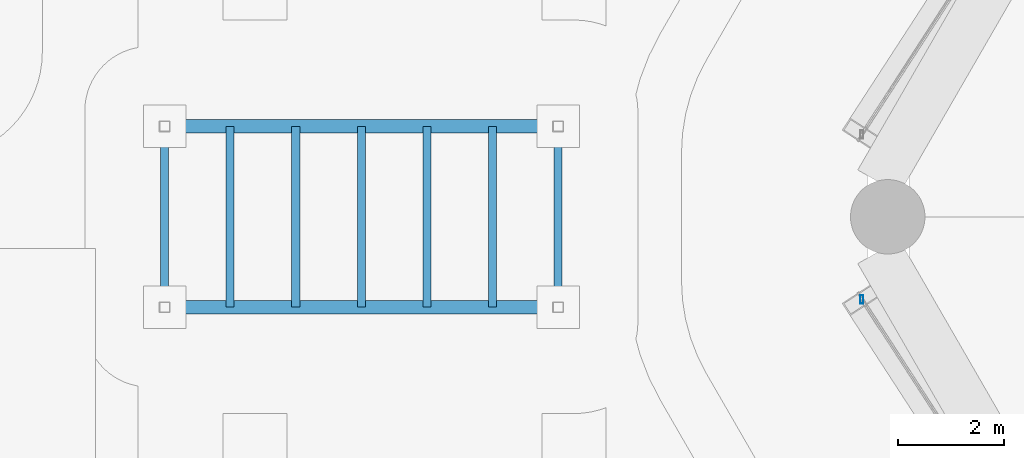
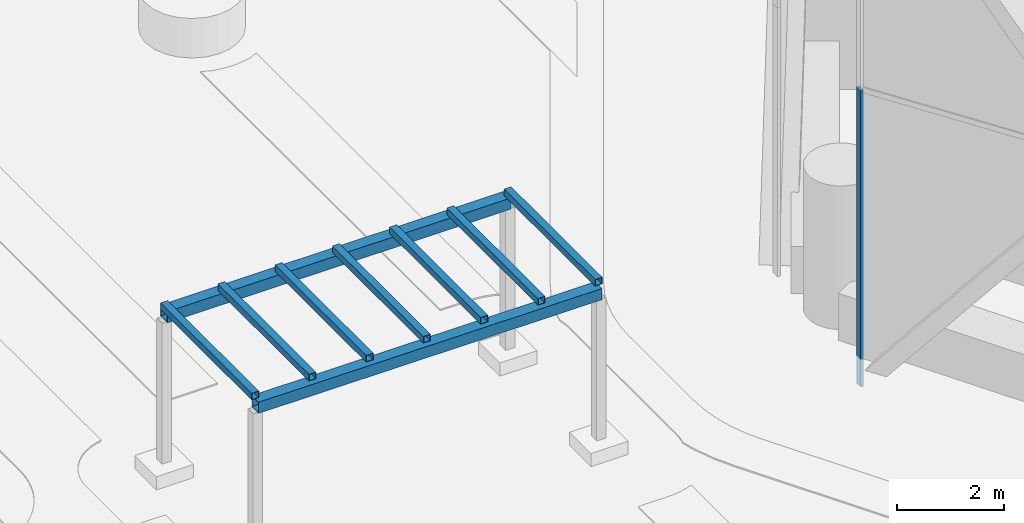
# One storey, part 20 of 71: 8 members, 2 beams, 1 element without a shape of its own.
"""IFC4 building model written with IfcOpenShell, lengths in metres."""

from ifc_helpers import new_model, si_unit, direction, frame, origin, origin_2d, place, context, subcontext, project, spatial, hollow_rectangle, extrude, material, material_profile, profile_set, type_object, element, aggregate, save


model = new_model("IFC4")

# Units and contexts
model_context = context("Model", 3, precision=1e-05, world=origin(), true_north=direction((0.0, 1.0)))
body_context = subcontext(model_context, "Body", "Model", "MODEL_VIEW")
ifc_project = project(units=[si_unit("LENGTHUNIT", "METRE"), si_unit("AREAUNIT", "SQUARE_METRE"), si_unit("VOLUMEUNIT", "CUBIC_METRE"), si_unit("PLANEANGLEUNIT", "RADIAN"), si_unit("MASSUNIT", "GRAM", prefix="KILO")], contexts=[model_context])

# Site, building, storey
site_placement = place(None, origin())
site = spatial("IfcSite", under=ifc_project, at=site_placement, CompositionType="ELEMENT")
building_placement = place(site_placement, origin())
building = spatial("IfcBuilding", under=site, at=building_placement, Name="Ostrander Bayou Hotel Tower", CompositionType="ELEMENT")
storey_placement = place(building_placement, frame((0.0, 0.0, 10.0)))
storey = spatial("IfcBuildingStorey", under=building, at=storey_placement, Name="L02", CompositionType="ELEMENT", Elevation=10.0)

# Curtain wall, member
ifc_material_1 = material(Name="Aluminium and clear glass", Category="aluminium")
curtain_wall_type = type_object("IfcCurtainWallType", Name="CW-LAT lattice glazing", PredefinedType="NOTDEFINED", material=ifc_material_1)
curtain_wall_placement = place(storey_placement, origin())
curtain_wall = element("IfcCurtainWall", 1, at=curtain_wall_placement, inside=storey, type_object=curtain_wall_type, Name="CW-LAT L02 SW 1", PredefinedType="NOTDEFINED")
ifc_material_2 = material(Name="Aluminium", Category="aluminium")
ifc_material_profile_1 = material_profile(ifc_material_2, hollow_rectangle(XDim=0.06005859375, YDim=0.159912109375, WallThickness=0.00390625, at=origin_2d()))
ifc_profile_set_1 = profile_set([ifc_material_profile_1], Name="Aluminium")
member_type_1 = type_object("IfcMemberType", Name="CW-LA mullion 60 x 160 mm", PredefinedType="MULLION", material=ifc_profile_set_1)
member_placement = place(storey_placement, frame((-24.58837890625, -1.551513671875, -0.60009765625), z_axis=(0.0, 0.0, 1.0), x_axis=(1.0, 0.0, 0.0)))
member = element("IfcMember", 2, at=member_placement, type_object=member_type_1, Name="CW-LAT mullion 1", PredefinedType="MULLION", context=body_context, shape_type="SweptSolid", body=[
    extrude(hollow_rectangle(XDim=0.06005859375, YDim=0.159912109375, WallThickness=0.00390625, at=origin_2d()), origin(), (0.0, 0.0, 1.0), 6.75),
])
aggregate(curtain_wall, [member])

# Beams
ifc_material_3 = material(Name="Steel ASTM A500 Gr C", Category="steel")
ifc_material_profile_2 = material_profile(ifc_material_3, hollow_rectangle(XDim=0.25390625, YDim=0.25390625, WallThickness=0.01171875, at=origin_2d()))
ifc_profile_set_2 = profile_set([ifc_material_profile_2], Name="Steel ASTM A500 Gr C")
beam_type = type_object("IfcBeamType", Name="PG2 pergola beam HSS10x10x1/2", PredefinedType="BEAM", material=ifc_profile_set_2)
for number, where, z_axis, x_axis, name in (
    (3, (-37.699951171875, -1.699951171875, 3.626953125), (1.0, 0.0, 0.0), (0.0, 1.0, 0.0), "PG2 pergola 4 beam 1"),
    (4, (-37.699951171875, 1.699951171875, 3.626953125), (1.0, 0.0, 0.0), (0.0, 1.0, 0.0), "PG2 pergola 4 beam 2"),
):
    element("IfcBeam", number, at=place(storey_placement, frame(where, z_axis=z_axis, x_axis=x_axis)), inside=storey, type_object=beam_type, Name=name, PredefinedType="BEAM", context=body_context, shape_type="SweptSolid", body=[
        extrude(hollow_rectangle(XDim=0.25390625, YDim=0.25390625, WallThickness=0.01171875, at=origin_2d()), origin(), (0.0, 0.0, 1.0), 7.39990234375),
    ])

# Members
ifc_material_4 = material(Name="Steel ASTM A500 Gr C", Category="steel")
ifc_material_profile_3 = material_profile(ifc_material_4, hollow_rectangle(XDim=0.15234375, YDim=0.15234375, WallThickness=0.0087890625, at=origin_2d()))
ifc_profile_set_3 = profile_set([ifc_material_profile_3], Name="Steel ASTM A500 Gr C")
member_type_2 = type_object("IfcMemberType", Name="PG3 pergola rafter HSS6x6x3/8", PredefinedType="RAFTER", material=ifc_profile_set_3)
for number, where, z_axis, x_axis, name in (
    (5, (-37.699951171875, -1.699951171875, 3.830078125), (0.0, 1.0, 0.0), (-1.0, 0.0, 0.0), "PG3 pergola 4 rafter 1"),
    (6, (-36.466796875, -1.699951171875, 3.830078125), (0.0, 1.0, 0.0), (-1.0, 0.0, 0.0), "PG3 pergola 4 rafter 2"),
    (7, (-35.2333984375, -1.699951171875, 3.830078125), (0.0, 1.0, 0.0), (-1.0, 0.0, 0.0), "PG3 pergola 4 rafter 3"),
    (8, (-34.0, -1.699951171875, 3.830078125), (0.0, 1.0, 0.0), (-1.0, 0.0, 0.0), "PG3 pergola 4 rafter 4"),
    (9, (-32.7666015625, -1.699951171875, 3.830078125), (0.0, 1.0, 0.0), (-1.0, 0.0, 0.0), "PG3 pergola 4 rafter 5"),
    (10, (-31.533203125, -1.699951171875, 3.830078125), (0.0, 1.0, 0.0), (-1.0, 0.0, 0.0), "PG3 pergola 4 rafter 6"),
    (11, (-30.300048828125, -1.699951171875, 3.830078125), (0.0, 1.0, 0.0), (-1.0, 0.0, 0.0), "PG3 pergola 4 rafter 7"),
):
    element("IfcMember", number, at=place(storey_placement, frame(where, z_axis=z_axis, x_axis=x_axis)), inside=storey, type_object=member_type_2, Name=name, PredefinedType="RAFTER", context=body_context, shape_type="SweptSolid", body=[
        extrude(hollow_rectangle(XDim=0.15234375, YDim=0.15234375, WallThickness=0.0087890625, at=origin_2d()), origin(), (0.0, 0.0, 1.0), 3.39990234375),
    ])

save(model, "model.ifc")
